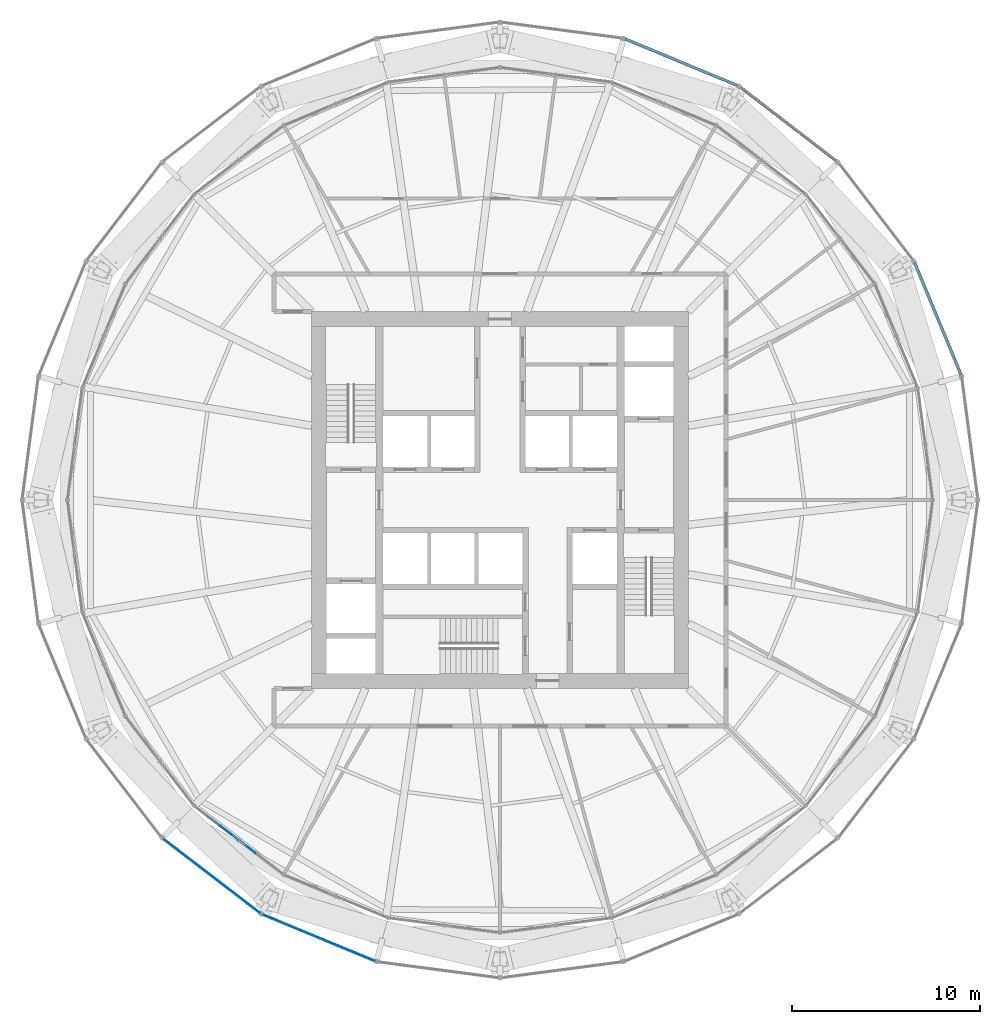
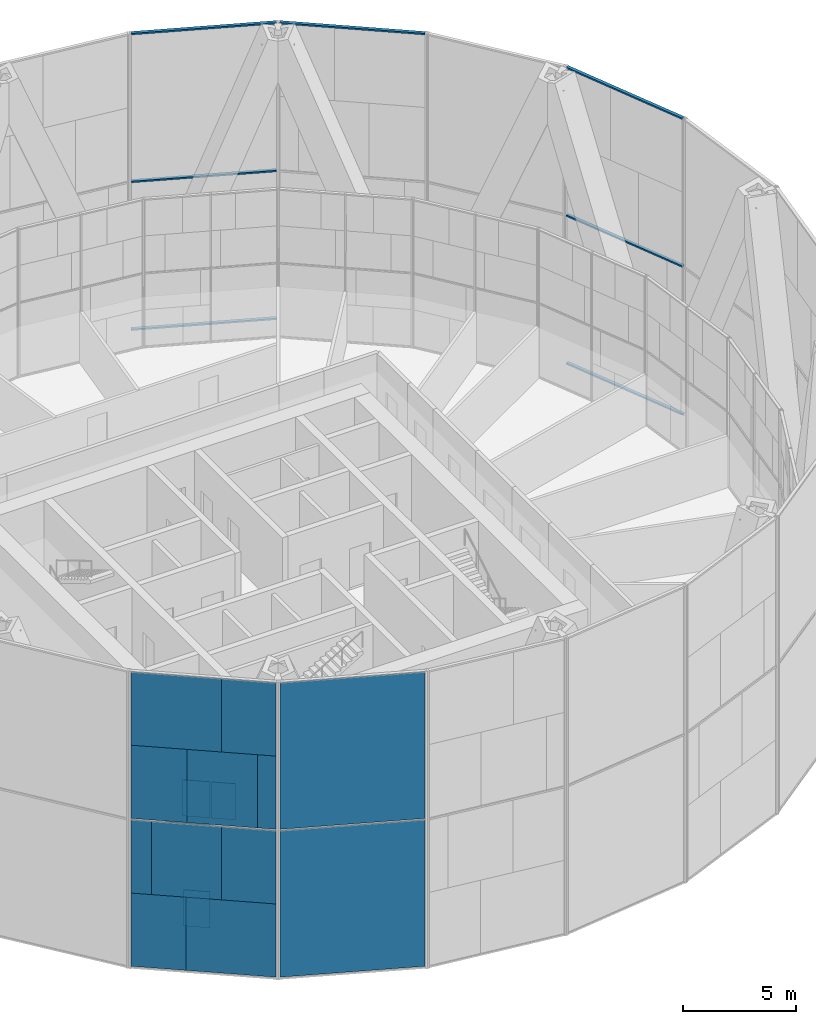
# One storey, part 9 of 22: 16 plates, 7 members, 6 elements without a shape of their own.
"""IFC4 building model written with IfcOpenShell, lengths in metres."""

from ifc_helpers import new_model, si_unit, direction, frame, origin, origin_2d, place, context, subcontext, project, spatial, rectangle, extrude, material, layer, layer_set, material_profile, profile_set, type_object, element, aggregate, save


model = new_model("IFC4")

# Units and contexts
model_context = context("Model", 3, precision=1e-05, world=origin(), true_north=direction((0.0, 1.0)))
body_context = subcontext(model_context, "Body", "Model", "MODEL_VIEW")
ifc_project = project(units=[si_unit("LENGTHUNIT", "METRE"), si_unit("AREAUNIT", "SQUARE_METRE"), si_unit("VOLUMEUNIT", "CUBIC_METRE"), si_unit("PLANEANGLEUNIT", "RADIAN"), si_unit("MASSUNIT", "GRAM", prefix="KILO")], contexts=[model_context])

# Site, building, storey
site_placement = place(None, origin())
site = spatial("IfcSite", under=ifc_project, at=site_placement, CompositionType="ELEMENT")
building_placement = place(site_placement, origin())
building = spatial("IfcBuilding", under=site, at=building_placement, Name="Golbaran Civic Tower", CompositionType="ELEMENT")
storey_placement = place(building_placement, frame((0.0, 0.0, 37.0)))
storey = spatial("IfcBuildingStorey", under=building, at=storey_placement, Name="L08", CompositionType="ELEMENT", Elevation=37.0)

# Curtain wall, members
ifc_material_1 = material(Name="Aluminium and glass", Category="aluminium")
curtain_wall_type_1 = type_object("IfcCurtainWallType", Name="OUTER SKIN TERRACOTTA SCREEN", PredefinedType="NOTDEFINED", material=ifc_material_1)
curtain_wall_1_placement = place(storey_placement, origin())
curtain_wall_1 = element("IfcCurtainWall", 1, at=curtain_wall_1_placement, inside=storey, type_object=curtain_wall_type_1, Name="Outer skin L08 facet 2 CW3", ObjectType="OUTER SKIN", PredefinedType="USERDEFINED")
ifc_material_2 = material(Name="Aluminium", Category="aluminium")
ifc_material_profile = material_profile(ifc_material_2, rectangle(XDim=0.159912109375, YDim=0.080078125, at=origin_2d()), Name="OUTER SKIN TERRACOTTA SCREEN TRANSOM")
ifc_profile_set = profile_set([ifc_material_profile], Name="Aluminium")
member_type = type_object("IfcMemberType", Name="OUTER SKIN TERRACOTTA SCREEN TRANSOM", PredefinedType="USERDEFINED", material=ifc_profile_set)
member_1_placement = place(storey_placement, frame((24.470947265625, 6.63916015625, -0.669921875), z_axis=(-0.382658786092, 0.923889740947, 0.0), x_axis=(-0.923889740947, -0.382658786092, 0.0)))
member_1 = element("IfcMember", 2, at=member_1_placement, type_object=member_type, Name="CW3 transom 1.1", ObjectType="TRANSOM", PredefinedType="USERDEFINED", context=body_context, shape_type="SweptSolid", body=[
    extrude(rectangle(XDim=0.159912109375, YDim=0.080078125, at=origin_2d()), origin(), (0.0, 0.0, 1.0), 6.461669921875),
])
member_2_placement = place(storey_placement, frame((24.470947265625, 6.63916015625, 7.2900390625), z_axis=(-0.382658786092, 0.923889740947, 0.0), x_axis=(-0.923889740947, -0.382658786092, 0.0)))
member_2 = element("IfcMember", 3, at=member_2_placement, type_object=member_type, Name="CW3 transom 1.2", ObjectType="TRANSOM", PredefinedType="USERDEFINED", context=body_context, shape_type="SweptSolid", body=[
    extrude(rectangle(XDim=0.159912109375, YDim=0.080078125, at=origin_2d()), origin(), (0.0, 0.0, 1.0), 6.461669921875),
])
member_3_placement = place(storey_placement, frame((24.470947265625, 6.63916015625, 15.25), z_axis=(-0.382658786092, 0.923889740947, 0.0), x_axis=(-0.923889740947, -0.382658786092, 0.0)))
member_3 = element("IfcMember", 4, at=member_3_placement, type_object=member_type, Name="CW3 transom 1.3", ObjectType="TRANSOM", PredefinedType="USERDEFINED", context=body_context, shape_type="SweptSolid", body=[
    extrude(rectangle(XDim=0.159912109375, YDim=0.080078125, at=origin_2d()), origin(), (0.0, 0.0, 1.0), 6.461669921875),
])
aggregate(curtain_wall_1, [member_1, member_2, member_3])

# Curtain wall, member
curtain_wall_2_placement = place(storey_placement, origin())
curtain_wall_2 = element("IfcCurtainWall", 5, at=curtain_wall_2_placement, inside=storey, type_object=curtain_wall_type_1, Name="Outer skin L08 facet 4 CW3", ObjectType="OUTER SKIN", PredefinedType="USERDEFINED")
member_4_placement = place(storey_placement, frame((17.873046875, 17.985107421875, 15.25), z_axis=(-0.793341152721, 0.60877731183, 0.0), x_axis=(-0.60877731183, -0.793341152721, 0.0)))
member_4 = element("IfcMember", 6, at=member_4_placement, type_object=member_type, Name="CW3 transom 1.3", ObjectType="TRANSOM", PredefinedType="USERDEFINED", context=body_context, shape_type="SweptSolid", body=[
    extrude(rectangle(XDim=0.159912109375, YDim=0.080078125, at=origin_2d()), origin(), (0.0, 0.0, 1.0), 6.4619140625),
])
aggregate(curtain_wall_2, [member_4])

# Curtain wall, members
curtain_wall_3_placement = place(storey_placement, origin())
curtain_wall_3 = element("IfcCurtainWall", 7, at=curtain_wall_3_placement, inside=storey, type_object=curtain_wall_type_1, Name="Outer skin L08 facet 5 CW3", ObjectType="OUTER SKIN", PredefinedType="USERDEFINED")
member_5_placement = place(storey_placement, frame((12.609130859375, 21.998291015625, -0.669921875), z_axis=(-0.923889740947, 0.382658786092, 0.0), x_axis=(-0.382658786092, -0.923889740947, 0.0)))
member_5 = element("IfcMember", 8, at=member_5_placement, type_object=member_type, Name="CW3 transom 1.1", ObjectType="TRANSOM", PredefinedType="USERDEFINED", context=body_context, shape_type="SweptSolid", body=[
    extrude(rectangle(XDim=0.159912109375, YDim=0.080078125, at=origin_2d()), origin(), (0.0, 0.0, 1.0), 6.461669921875),
])
member_6_placement = place(storey_placement, frame((12.609130859375, 21.998291015625, 7.2900390625), z_axis=(-0.923889740947, 0.382658786092, 0.0), x_axis=(-0.382658786092, -0.923889740947, 0.0)))
member_6 = element("IfcMember", 9, at=member_6_placement, type_object=member_type, Name="CW3 transom 1.2", ObjectType="TRANSOM", PredefinedType="USERDEFINED", context=body_context, shape_type="SweptSolid", body=[
    extrude(rectangle(XDim=0.159912109375, YDim=0.080078125, at=origin_2d()), origin(), (0.0, 0.0, 1.0), 6.461669921875),
])
member_7_placement = place(storey_placement, frame((12.609130859375, 21.998291015625, 15.25), z_axis=(-0.923889740947, 0.382658786092, 0.0), x_axis=(-0.382658786092, -0.923889740947, 0.0)))
member_7 = element("IfcMember", 10, at=member_7_placement, type_object=member_type, Name="CW3 transom 1.3", ObjectType="TRANSOM", PredefinedType="USERDEFINED", context=body_context, shape_type="SweptSolid", body=[
    extrude(rectangle(XDim=0.159912109375, YDim=0.080078125, at=origin_2d()), origin(), (0.0, 0.0, 1.0), 6.461669921875),
])
aggregate(curtain_wall_3, [member_5, member_6, member_7])

# Curtain wall, plates
curtain_wall_type_2 = type_object("IfcCurtainWallType", Name="INNER SKIN CURTAIN WALL", PredefinedType="NOTDEFINED", material=ifc_material_1)
curtain_wall_4_placement = place(storey_placement, origin())
curtain_wall_4 = element("IfcCurtainWall", 11, at=curtain_wall_4_placement, inside=storey, type_object=curtain_wall_type_2, Name="Inner skin L08 facet 16 CW1", ObjectType="INNER SKIN", PredefinedType="USERDEFINED")
ifc_material_3 = material(Name="Clear insulating glass", Category="glass")
ifc_layer_1 = layer(ifc_material_3, 0.031982421875, Name="Clear insulating glass")
ifc_layer_set_1 = layer_set([ifc_layer_1], Name="Clear insulating glass")
plate_type_1 = type_object("IfcPlateType", Name="INNER SKIN CURTAIN WALL GLAZED PANEL", PredefinedType="CURTAIN_PANEL", material=ifc_layer_set_1)
plate_1_placement = place(storey_placement, frame((-14.35986328125, -17.675537109375, 0.06494140625), z_axis=(0.0, 0.0, 1.0), x_axis=(0.793353340344, -0.608761428939, 0.0)))
plate_1 = element("IfcPlate", 12, at=plate_1_placement, type_object=plate_type_1, Name="CW1 panel 1.1 part 2", PredefinedType="CURTAIN_PANEL", context=body_context, shape_type="SweptSolid", body=[
    extrude(rectangle(XDim=1.199462890625, YDim=0.031982421875, at=origin_2d()), origin(), (0.0, 0.0, 1.0), 1.951171875),
])
ifc_material_4 = material(Name="Aluminium faced opaque infill panel", Category="aluminium")
ifc_layer_2 = layer(ifc_material_4, 0.031982421875, Name="Aluminium faced opaque infill panel")
ifc_layer_set_2 = layer_set([ifc_layer_2], Name="Aluminium faced opaque infill panel")
plate_type_2 = type_object("IfcPlateType", Name="INNER SKIN CURTAIN WALL OPAQUE INFILL PANEL", PredefinedType="CURTAIN_PANEL", material=ifc_layer_set_2)
plate_2_placement = place(storey_placement, frame((-14.67724609375, -17.431884765625, 4.032470703125), z_axis=(0.0, 0.0, 1.0), x_axis=(0.793353340344, -0.608761428939, 0.0)))
plate_2 = element("IfcPlate", 13, at=plate_2_placement, type_object=plate_type_2, Name="CW1 infill panel 1.2 part 2", PredefinedType="CURTAIN_PANEL", context=body_context, shape_type="SweptSolid", body=[
    extrude(rectangle(XDim=1.99951171875, YDim=0.031982421875, at=origin_2d()), origin(), (0.0, 0.0, 1.0), 1.951171875),
])
plate_3_placement = place(storey_placement, frame((-14.36962890625, -17.667724609375, 5.98388671875), z_axis=(0.0, 0.0, 1.0), x_axis=(0.793353340344, -0.608761428939, 0.0)))
plate_3 = element("IfcPlate", 14, at=plate_3_placement, type_object=plate_type_2, Name="CW1 infill panel 1.2 part 4", PredefinedType="CURTAIN_PANEL", context=body_context, shape_type="SweptSolid", body=[
    extrude(rectangle(XDim=1.224609375, YDim=0.031982421875, at=origin_2d()), origin(), (0.0, 0.0, 1.0), 1.951171875),
])
plate_4_placement = place(storey_placement, frame((-13.41064453125, -18.403564453125, 5.98388671875), z_axis=(0.0, 0.0, 1.0), x_axis=(0.793353340344, -0.608761428939, 0.0)))
plate_4 = element("IfcPlate", 15, at=plate_4_placement, type_object=plate_type_2, Name="CW1 infill panel 2.2 part 3", PredefinedType="CURTAIN_PANEL", context=body_context, shape_type="SweptSolid", body=[
    extrude(rectangle(XDim=1.06298828125, YDim=0.031982421875, at=origin_2d()), origin(), (0.0, 0.0, 1.0), 1.951171875),
])
aggregate(curtain_wall_4, [plate_1, plate_2, plate_3, plate_4])

curtain_wall_5_placement = place(storey_placement, origin())
curtain_wall_5 = element("IfcCurtainWall", 16, at=curtain_wall_5_placement, inside=storey, type_object=curtain_wall_type_1, Name="Outer skin L08 facet 16 CW3", ObjectType="OUTER SKIN", PredefinedType="USERDEFINED")
ifc_material_5 = material(Name="Clear laminated glass", Category="glass")
ifc_layer_3 = layer(ifc_material_5, 0.0400390625, Name="Clear laminated glass")
ifc_layer_set_3 = layer_set([ifc_layer_3], Name="Clear laminated glass")
plate_type_3 = type_object("IfcPlateType", Name="OUTER SKIN CLEAR GLASS PANEL", PredefinedType="CURTAIN_PANEL", material=ifc_layer_set_3)
plate_5_placement = place(storey_placement, frame((-14.334228515625, -20.700439453125, -0.6298828125), z_axis=(0.0, 0.0, 1.0), x_axis=(0.793353340376, -0.608761428898, 0.0)))
plate_5 = element("IfcPlate", 17, at=plate_5_placement, type_object=plate_type_3, Name="CW3 panel 1.1 part 2", PredefinedType="CURTAIN_PANEL", context=body_context, shape_type="SweptSolid", body=[
    extrude(rectangle(XDim=4.0029296875, YDim=0.0400390625, at=origin_2d()), origin(), (0.0, 0.0, 1.0), 3.93994140625),
])
plate_6_placement = place(storey_placement, frame((-17.51318359375, -18.26123046875, 3.31005859375), z_axis=(0.0, 0.0, 1.0), x_axis=(0.793353340376, -0.608761428898, 0.0)))
plate_6 = element("IfcPlate", 18, at=plate_6_placement, type_object=plate_type_3, Name="CW3 panel 1.1 part 3", PredefinedType="CURTAIN_PANEL", context=body_context, shape_type="SweptSolid", body=[
    extrude(rectangle(XDim=0.906982421875, YDim=0.0400390625, at=origin_2d()), origin(), (0.0, 0.0, 1.0), 3.93994140625),
])
plate_7_placement = place(storey_placement, frame((-13.7138671875, -21.176513671875, 3.31005859375), z_axis=(0.0, 0.0, 1.0), x_axis=(0.793353340376, -0.608761428898, 0.0)))
plate_7 = element("IfcPlate", 19, at=plate_7_placement, type_object=plate_type_3, Name="CW3 panel 1.1 part 5", PredefinedType="CURTAIN_PANEL", context=body_context, shape_type="SweptSolid", body=[
    extrude(rectangle(XDim=2.43896484375, YDim=0.0400390625, at=origin_2d()), origin(), (0.0, 0.0, 1.0), 3.93994140625),
])
plate_8_placement = place(storey_placement, frame((-16.885986328125, -18.742431640625, 7.330078125), z_axis=(0.0, 0.0, 1.0), x_axis=(0.793353340376, -0.608761428898, 0.0)))
plate_8 = element("IfcPlate", 20, at=plate_8_placement, type_object=plate_type_3, Name="CW3 panel 1.2 part 1", PredefinedType="CURTAIN_PANEL", context=body_context, shape_type="SweptSolid", body=[
    extrude(rectangle(XDim=2.488037109375, YDim=0.0400390625, at=origin_2d()), origin(), (0.0, 0.0, 1.0), 3.93994140625),
])
plate_9_placement = place(storey_placement, frame((-13.080322265625, -21.66259765625, 7.330078125), z_axis=(0.0, 0.0, 1.0), x_axis=(0.793353340376, -0.608761428898, 0.0)))
plate_9 = element("IfcPlate", 21, at=plate_9_placement, type_object=plate_type_3, Name="CW3 panel 1.2 part 3", PredefinedType="CURTAIN_PANEL", context=body_context, shape_type="SweptSolid", body=[
    extrude(rectangle(XDim=0.841796875, YDim=0.0400390625, at=origin_2d()), origin(), (0.0, 0.0, 1.0), 3.93994140625),
])
plate_10_placement = place(storey_placement, frame((-16.271728515625, -19.2138671875, 11.27001953125), z_axis=(0.0, 0.0, 1.0), x_axis=(0.793353340376, -0.608761428898, 0.0)))
plate_10 = element("IfcPlate", 22, at=plate_10_placement, type_object=plate_type_3, Name="CW3 panel 1.2 part 4", PredefinedType="CURTAIN_PANEL", context=body_context, shape_type="SweptSolid", body=[
    extrude(rectangle(XDim=4.037109375, YDim=0.0400390625, at=origin_2d()), origin(), (0.0, 0.0, 1.0), 3.93994140625),
])
ifc_material_6 = material(Name="Terracotta baguette screen", Category="masonry")
ifc_layer_4 = layer(ifc_material_6, 0.0400390625, Name="Terracotta baguette screen")
ifc_layer_set_4 = layer_set([ifc_layer_4], Name="Terracotta baguette screen")
plate_type_4 = type_object("IfcPlateType", Name="OUTER SKIN TERRACOTTA INFILL PANEL", PredefinedType="CURTAIN_PANEL", material=ifc_layer_set_4)
plate_11_placement = place(storey_placement, frame((-16.8974609375, -18.733642578125, -0.6298828125), z_axis=(0.0, 0.0, 1.0), x_axis=(0.793353340376, -0.608761428898, 0.0)))
plate_11 = element("IfcPlate", 23, at=plate_11_placement, type_object=plate_type_4, Name="CW3 infill panel 1.1 part 1", PredefinedType="CURTAIN_PANEL", context=body_context, shape_type="SweptSolid", body=[
    extrude(rectangle(XDim=2.458984375, YDim=0.0400390625, at=origin_2d()), origin(), (0.0, 0.0, 1.0), 3.93994140625),
])
plate_12_placement = place(storey_placement, frame((-15.91748046875, -19.48583984375, 3.31005859375), z_axis=(0.0, 0.0, 1.0), x_axis=(0.793353340376, -0.608761428898, 0.0)))
plate_12 = element("IfcPlate", 24, at=plate_12_placement, type_object=plate_type_4, Name="CW3 infill panel 1.1 part 4", PredefinedType="CURTAIN_PANEL", context=body_context, shape_type="SweptSolid", body=[
    extrude(rectangle(XDim=3.115966796875, YDim=0.0400390625, at=origin_2d()), origin(), (0.0, 0.0, 1.0), 3.93994140625),
])
plate_13_placement = place(storey_placement, frame((-14.65673828125, -20.453125, 7.330078125), z_axis=(0.0, 0.0, 1.0), x_axis=(0.793353340376, -0.608761428898, 0.0)))
plate_13 = element("IfcPlate", 25, at=plate_13_placement, type_object=plate_type_4, Name="CW3 infill panel 1.2 part 2", PredefinedType="CURTAIN_PANEL", context=body_context, shape_type="SweptSolid", body=[
    extrude(rectangle(XDim=3.132080078125, YDim=0.0400390625, at=origin_2d()), origin(), (0.0, 0.0, 1.0), 3.93994140625),
])
plate_14_placement = place(storey_placement, frame((-13.708251953125, -21.180908203125, 11.27001953125), z_axis=(0.0, 0.0, 1.0), x_axis=(0.793353340376, -0.608761428898, 0.0)))
plate_14 = element("IfcPlate", 26, at=plate_14_placement, type_object=plate_type_4, Name="CW3 infill panel 1.2 part 5", PredefinedType="CURTAIN_PANEL", context=body_context, shape_type="SweptSolid", body=[
    extrude(rectangle(XDim=2.4248046875, YDim=0.0400390625, at=origin_2d()), origin(), (0.0, 0.0, 1.0), 3.93994140625),
])
aggregate(curtain_wall_5, [plate_11, plate_5, plate_6, plate_12, plate_7, plate_8, plate_13, plate_9, plate_10, plate_14])

curtain_wall_6_placement = place(storey_placement, origin())
curtain_wall_6 = element("IfcCurtainWall", 27, at=curtain_wall_6_placement, inside=storey, type_object=curtain_wall_type_1, Name="Outer skin L08 facet 17 CW3", ObjectType="OUTER SKIN", PredefinedType="USERDEFINED")
ifc_layer_5 = layer(ifc_material_6, 0.0400390625, Name="Terracotta baguette screen")
ifc_layer_set_5 = layer_set([ifc_layer_5], Name="Terracotta baguette screen")
plate_type_5 = type_object("IfcPlateType", Name="OUTER SKIN TERRACOTTA SCREEN PANEL", PredefinedType="CURTAIN_PANEL", material=ifc_layer_set_5)
plate_15_placement = place(storey_placement, frame((-9.6240234375, -23.234619140625, -0.6298828125), z_axis=(0.0, 0.0, 1.0), x_axis=(0.923879532471, -0.382683432462, 0.0)))
plate_15 = element("IfcPlate", 28, at=plate_15_placement, type_object=plate_type_5, Name="CW3 terracotta screen panel 1.1", PredefinedType="CURTAIN_PANEL", context=body_context, shape_type="SweptSolid", body=[
    extrude(rectangle(XDim=6.4619140625, YDim=0.0400390625, at=origin_2d()), origin(), (0.0, 0.0, 1.0), 7.8798828125),
])
plate_16_placement = place(storey_placement, frame((-9.6240234375, -23.234619140625, 7.330078125), z_axis=(0.0, 0.0, 1.0), x_axis=(0.923879532471, -0.382683432462, 0.0)))
plate_16 = element("IfcPlate", 29, at=plate_16_placement, type_object=plate_type_5, Name="CW3 terracotta screen panel 1.2", PredefinedType="CURTAIN_PANEL", context=body_context, shape_type="SweptSolid", body=[
    extrude(rectangle(XDim=6.4619140625, YDim=0.0400390625, at=origin_2d()), origin(), (0.0, 0.0, 1.0), 7.8798828125),
])
aggregate(curtain_wall_6, [plate_15, plate_16])

save(model, "model.ifc")
